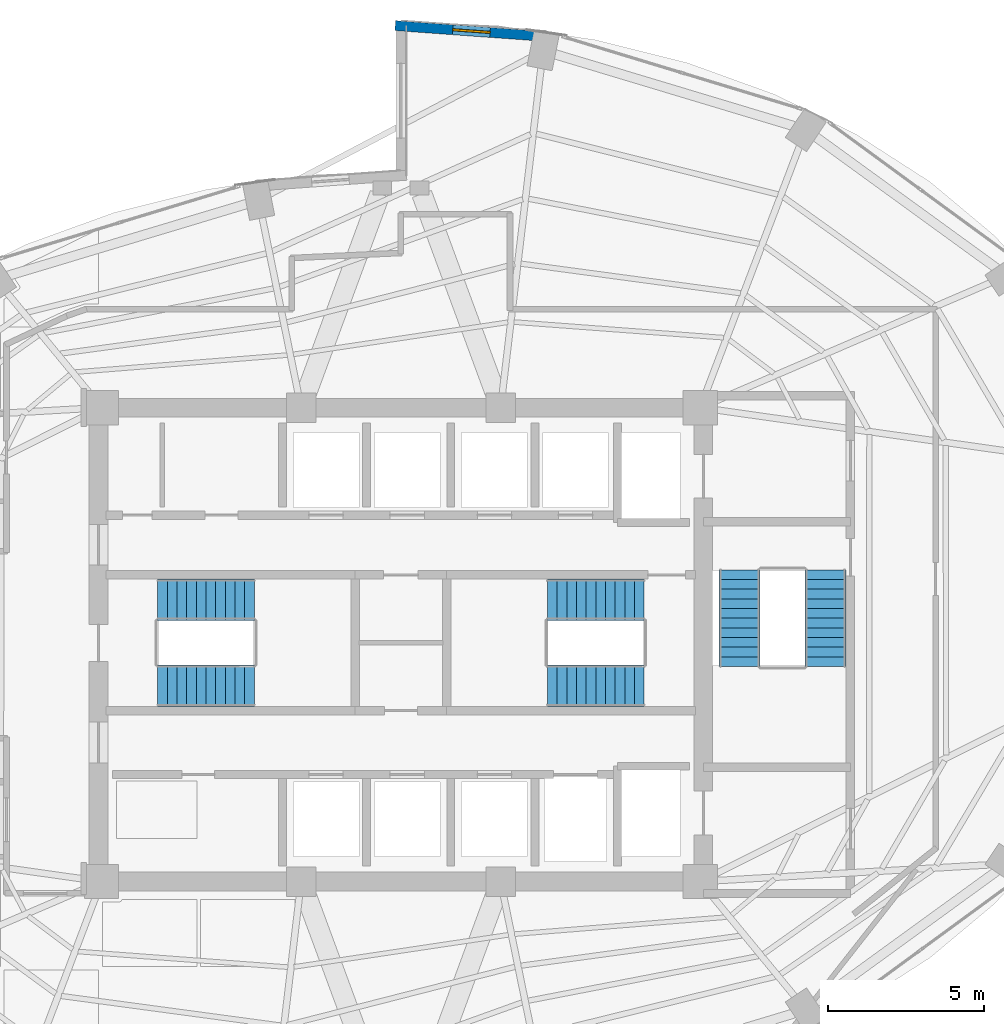
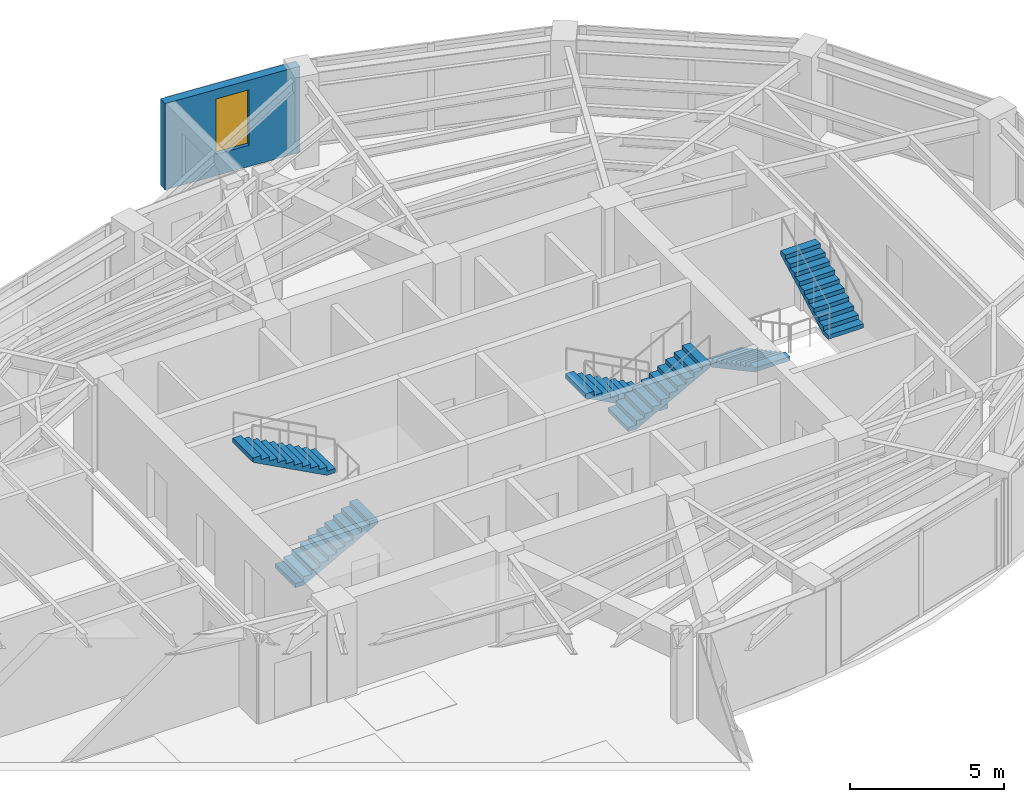
# One storey, part 18 of 20: 6 stair flights, 1 wall, 1 window, 1 opening, 3 elements without a shape of their own.
"""IFC4 building model written with IfcOpenShell, lengths in metres."""

from ifc_helpers import new_model, si_unit, direction, frame, frame_2d, origin, place, context, subcontext, project, spatial, polyline, rectangle, outline, extrude, material, layer, layer_set, type_object, element, fill, aggregate, save


model = new_model("IFC4")

# Units and contexts
model_context = context("Model", 3, precision=1e-05, world=origin(), true_north=direction((0.0, 1.0)))
body_context = subcontext(model_context, "Body", "Model", "MODEL_VIEW")
ifc_project = project(units=[si_unit("LENGTHUNIT", "METRE"), si_unit("AREAUNIT", "SQUARE_METRE"), si_unit("VOLUMEUNIT", "CUBIC_METRE"), si_unit("PLANEANGLEUNIT", "RADIAN"), si_unit("MASSUNIT", "GRAM", prefix="KILO")], contexts=[model_context])

# Site, building, storey
site_placement = place(None, origin())
site = spatial("IfcSite", under=ifc_project, at=site_placement, CompositionType="ELEMENT")
building_placement = place(site_placement, origin())
building = spatial("IfcBuilding", under=site, at=building_placement, Name="Lazwardi Medical Tower", CompositionType="ELEMENT")
storey_placement = place(building_placement, frame((0.0, 0.0, 178.416015625)))
storey = spatial("IfcBuildingStorey", under=building, at=storey_placement, Name="L46", CompositionType="ELEMENT", Elevation=178.416015625)

# Wall, opening, window
ifc_material_1 = material(Name="Precast concrete C45/55", Category="concrete")
ifc_layer = layer(ifc_material_1, 0.320068359375)
ifc_layer_set = layer_set([ifc_layer], Name="Precast concrete C45/55")
wall_type = type_object("IfcWallType", Name="WL-IWAN-320", PredefinedType="SOLIDWALL", material=ifc_layer_set)
wall_placement = place(storey_placement, frame((40.700927734375, 47.501220703125, 0.0), z_axis=(0.0, 0.0, 1.0), x_axis=(-0.997415460462, 0.071849838072, 0.0)))
wall = element("IfcWall", 1, at=wall_placement, inside=storey, type_object=wall_type, Name="L46 Iwan Portal Return Wall NE_ret", PredefinedType="SOLIDWALL", context=body_context, shape_type="SweptSolid", body=[
    extrude(rectangle(XDim=4.89306640625, YDim=0.320068359375, at=frame_2d((2.446533203125, 0.0))), origin(), (0.0, 0.0, 1.0), 3.427978515625),
])
opening_placement = place(wall_placement, frame((1.846435546875, 0.0, 0.85009765625)))
opening = element("IfcOpeningElement", 2, at=opening_placement, cuts=wall, Name="Opening WN-01", PredefinedType="OPENING", context=body_context, shape_type="SweptSolid", body=[
    extrude(rectangle(XDim=1.199951171875, YDim=2.199951171875, at=frame_2d((0.60009765625, 1.10009765625))), frame((0.0, 0.169921875, 0.0), z_axis=(0.0, -1.0, 0.0), x_axis=(1.0, 0.0, 0.0)), (0.0, 0.0, 1.0), 0.340087890625),
])
ifc_material_2 = material(Name="Low-e bronze solar control double glazing", Category="glass")
window_type = type_object("IfcWindowType", Name="WIN-IW-1200", PartitioningType="SINGLE_PANEL", PredefinedType="WINDOW", material=ifc_material_2)
window_placement = place(opening_placement, origin())
window = element("IfcWindow", 3, at=window_placement, inside=storey, type_object=window_type, Name="L46 Iwan Slot Window NE_ret", OverallHeight=2.199951171875, OverallWidth=1.199951171875, PartitioningType="SINGLE_PANEL", PredefinedType="WINDOW", context=body_context, shape_type="SweptSolid", body=[
    extrude(rectangle(XDim=1.199951171875, YDim=2.199951171875, at=frame_2d((0.60009765625, 1.10009765625))), frame((0.0, 0.030029296875, 0.0), z_axis=(0.0, -1.0, 0.0), x_axis=(1.0, 0.0, 0.0)), (0.0, 0.0, 1.0), 0.06005859375),
])
fill(opening, window)

# Stair, stair flights
ifc_material_3 = material(Name="Concrete C45/55", Category="concrete")
stair_type = type_object("IfcStairType", Name="STR-WRD", PredefinedType="HALF_TURN_STAIR", material=ifc_material_3)
stair_1_placement = place(storey_placement, origin())
stair_1 = element("IfcStair", 4, at=stair_1_placement, inside=storey, type_object=stair_type, Name="L46 Protected Exit Stair ST1", PredefinedType="HALF_TURN_STAIR")
stair_flight_type = type_object("IfcStairFlightType", Name="FLT-WRD", PredefinedType="STRAIGHT", material=ifc_material_3)
stair_flight_1_placement = place(storey_placement, frame((28.199951171875, 26.679931640625, 0.0), z_axis=(0.0, 0.0, 1.0), x_axis=(1.0, 0.0, 0.0)))
stair_flight_1 = element("IfcStairFlight", 5, at=stair_flight_1_placement, type_object=stair_flight_type, Name="ST1 flight 1", NumberOfRisers=11, NumberOfTreads=10, PredefinedType="STRAIGHT", RiserHeight=0.165818182, TreadLength=0.31, context=body_context, shape_type="SweptSolid", body=[
    extrude(outline(polyline([(0.0, 0.0), (0.0, 0.165771484375), (0.31005859375, 0.165771484375), (0.31005859375, 0.33154296875), (0.6201171875, 0.33154296875), (0.6201171875, 0.49755859375), (0.929931640625, 0.49755859375), (0.929931640625, 0.663330078125), (1.239990234375, 0.663330078125), (1.239990234375, 0.8291015625), (1.550048828125, 0.8291015625), (1.550048828125, 0.994873046875), (1.860107421875, 0.994873046875), (1.860107421875, 1.16064453125), (2.169921875, 1.16064453125), (2.169921875, 1.32666015625), (2.47998046875, 1.32666015625), (2.47998046875, 1.492431640625), (2.7900390625, 1.492431640625), (2.7900390625, 1.658203125), (3.10009765625, 1.658203125), (3.10009765625, 1.823974609375), (3.10009765625, 1.48828125), (0.31787109375, 0.0), (0.0, 0.0)])), frame((0.0, 0.66015625, 0.0), z_axis=(0.0, -1.0, 0.0), x_axis=(1.0, 0.0, 0.0)), (0.0, 0.0, 1.0), 1.320068359375),
])
stair_flight_2_placement = place(storey_placement, frame((31.300048828125, 29.43994140625, 1.823974609375), z_axis=(0.0, 0.0, 1.0), x_axis=(-1.0, 0.0, 0.0)))
stair_flight_2 = element("IfcStairFlight", 6, at=stair_flight_2_placement, type_object=stair_flight_type, Name="ST1 flight 2", NumberOfRisers=11, NumberOfTreads=10, PredefinedType="STRAIGHT", RiserHeight=0.165818182, TreadLength=0.31, context=body_context, shape_type="SweptSolid", body=[
    extrude(outline(polyline([(0.0, 0.0), (0.0, 0.165771484375), (0.31005859375, 0.165771484375), (0.31005859375, 0.33154296875), (0.6201171875, 0.33154296875), (0.6201171875, 0.49755859375), (0.929931640625, 0.49755859375), (0.929931640625, 0.663330078125), (1.239990234375, 0.663330078125), (1.239990234375, 0.8291015625), (1.550048828125, 0.8291015625), (1.550048828125, 0.994873046875), (1.860107421875, 0.994873046875), (1.860107421875, 1.16064453125), (2.169921875, 1.16064453125), (2.169921875, 1.32666015625), (2.47998046875, 1.32666015625), (2.47998046875, 1.492431640625), (2.7900390625, 1.492431640625), (2.7900390625, 1.658203125), (3.10009765625, 1.658203125), (3.10009765625, 1.823974609375), (3.10009765625, 1.48828125), (0.31787109375, 0.0), (0.0, 0.0)])), frame((0.0, 0.66015625, 0.0), z_axis=(0.0, -1.0, 0.0), x_axis=(1.0, 0.0, 0.0)), (0.0, 0.0, 1.0), 1.320068359375),
])
aggregate(stair_1, [stair_flight_1, stair_flight_2])

stair_2_placement = place(storey_placement, origin())
stair_2 = element("IfcStair", 7, at=stair_2_placement, inside=storey, type_object=stair_type, Name="L46 Protected Exit Stair ST2", PredefinedType="HALF_TURN_STAIR")
stair_flight_3_placement = place(storey_placement, frame((43.800048828125, 29.43994140625, 0.0), z_axis=(0.0, 0.0, 1.0), x_axis=(-1.0, 0.0, 0.0)))
stair_flight_3 = element("IfcStairFlight", 8, at=stair_flight_3_placement, type_object=stair_flight_type, Name="ST2 flight 1", NumberOfRisers=11, NumberOfTreads=10, PredefinedType="STRAIGHT", RiserHeight=0.165818182, TreadLength=0.31, context=body_context, shape_type="SweptSolid", body=[
    extrude(outline(polyline([(0.0, 0.0), (0.0, 0.165771484375), (0.31005859375, 0.165771484375), (0.31005859375, 0.33154296875), (0.6201171875, 0.33154296875), (0.6201171875, 0.49755859375), (0.929931640625, 0.49755859375), (0.929931640625, 0.663330078125), (1.239990234375, 0.663330078125), (1.239990234375, 0.8291015625), (1.550048828125, 0.8291015625), (1.550048828125, 0.994873046875), (1.860107421875, 0.994873046875), (1.860107421875, 1.16064453125), (2.169921875, 1.16064453125), (2.169921875, 1.32666015625), (2.47998046875, 1.32666015625), (2.47998046875, 1.492431640625), (2.7900390625, 1.492431640625), (2.7900390625, 1.658203125), (3.10009765625, 1.658203125), (3.10009765625, 1.823974609375), (3.10009765625, 1.48828125), (0.31787109375, 0.0), (0.0, 0.0)])), frame((0.0, 0.66015625, 0.0), z_axis=(0.0, -1.0, 0.0), x_axis=(1.0, 0.0, 0.0)), (0.0, 0.0, 1.0), 1.320068359375),
])
stair_flight_4_placement = place(storey_placement, frame((40.699951171875, 26.679931640625, 1.823974609375), z_axis=(0.0, 0.0, 1.0), x_axis=(1.0, 0.0, 0.0)))
stair_flight_4 = element("IfcStairFlight", 9, at=stair_flight_4_placement, type_object=stair_flight_type, Name="ST2 flight 2", NumberOfRisers=11, NumberOfTreads=10, PredefinedType="STRAIGHT", RiserHeight=0.165818182, TreadLength=0.31, context=body_context, shape_type="SweptSolid", body=[
    extrude(outline(polyline([(0.0, 0.0), (0.0, 0.165771484375), (0.31005859375, 0.165771484375), (0.31005859375, 0.33154296875), (0.6201171875, 0.33154296875), (0.6201171875, 0.49755859375), (0.929931640625, 0.49755859375), (0.929931640625, 0.663330078125), (1.239990234375, 0.663330078125), (1.239990234375, 0.8291015625), (1.550048828125, 0.8291015625), (1.550048828125, 0.994873046875), (1.860107421875, 0.994873046875), (1.860107421875, 1.16064453125), (2.169921875, 1.16064453125), (2.169921875, 1.32666015625), (2.47998046875, 1.32666015625), (2.47998046875, 1.492431640625), (2.7900390625, 1.492431640625), (2.7900390625, 1.658203125), (3.10009765625, 1.658203125), (3.10009765625, 1.823974609375), (3.10009765625, 1.48828125), (0.31787109375, 0.0), (0.0, 0.0)])), frame((0.0, 0.66015625, 0.0), z_axis=(0.0, -1.0, 0.0), x_axis=(1.0, 0.0, 0.0)), (0.0, 0.0, 1.0), 1.320068359375),
])
aggregate(stair_2, [stair_flight_3, stair_flight_4])

stair_3_placement = place(storey_placement, origin())
stair_3 = element("IfcStair", 10, at=stair_3_placement, inside=storey, type_object=stair_type, Name="L46 Protected Exit Stair ST3", PredefinedType="HALF_TURN_STAIR")
stair_flight_5_placement = place(storey_placement, frame((46.860107421875, 30.39990234375, 0.0), z_axis=(0.0, 0.0, 1.0), x_axis=(0.0, -1.0, 0.0)))
stair_flight_5 = element("IfcStairFlight", 11, at=stair_flight_5_placement, type_object=stair_flight_type, Name="ST3 flight 1", NumberOfRisers=11, NumberOfTreads=10, PredefinedType="STRAIGHT", RiserHeight=0.165818182, TreadLength=0.31, context=body_context, shape_type="SweptSolid", body=[
    extrude(outline(polyline([(0.0, 0.0), (0.0, 0.165771484375), (0.31005859375, 0.165771484375), (0.31005859375, 0.33154296875), (0.6201171875, 0.33154296875), (0.6201171875, 0.49755859375), (0.929931640625, 0.49755859375), (0.929931640625, 0.663330078125), (1.239990234375, 0.663330078125), (1.239990234375, 0.8291015625), (1.550048828125, 0.8291015625), (1.550048828125, 0.994873046875), (1.860107421875, 0.994873046875), (1.860107421875, 1.16064453125), (2.169921875, 1.16064453125), (2.169921875, 1.32666015625), (2.47998046875, 1.32666015625), (2.47998046875, 1.492431640625), (2.7900390625, 1.492431640625), (2.7900390625, 1.658203125), (3.10009765625, 1.658203125), (3.10009765625, 1.823974609375), (3.10009765625, 1.48828125), (0.31787109375, 0.0), (0.0, 0.0)])), frame((0.0, 0.66015625, 0.0), z_axis=(0.0, -1.0, 0.0), x_axis=(1.0, 0.0, 0.0)), (0.0, 0.0, 1.0), 1.320068359375),
])
stair_flight_6_placement = place(storey_placement, frame((49.6201171875, 27.300048828125, 1.823974609375), z_axis=(0.0, 0.0, 1.0), x_axis=(0.0, 1.0, 0.0)))
stair_flight_6 = element("IfcStairFlight", 12, at=stair_flight_6_placement, type_object=stair_flight_type, Name="ST3 flight 2", NumberOfRisers=11, NumberOfTreads=10, PredefinedType="STRAIGHT", RiserHeight=0.165818182, TreadLength=0.31, context=body_context, shape_type="SweptSolid", body=[
    extrude(outline(polyline([(0.0, 0.0), (0.0, 0.165771484375), (0.31005859375, 0.165771484375), (0.31005859375, 0.33154296875), (0.6201171875, 0.33154296875), (0.6201171875, 0.49755859375), (0.929931640625, 0.49755859375), (0.929931640625, 0.663330078125), (1.239990234375, 0.663330078125), (1.239990234375, 0.8291015625), (1.550048828125, 0.8291015625), (1.550048828125, 0.994873046875), (1.860107421875, 0.994873046875), (1.860107421875, 1.16064453125), (2.169921875, 1.16064453125), (2.169921875, 1.32666015625), (2.47998046875, 1.32666015625), (2.47998046875, 1.492431640625), (2.7900390625, 1.492431640625), (2.7900390625, 1.658203125), (3.10009765625, 1.658203125), (3.10009765625, 1.823974609375), (3.10009765625, 1.48828125), (0.31787109375, 0.0), (0.0, 0.0)])), frame((0.0, 0.66015625, 0.0), z_axis=(0.0, -1.0, 0.0), x_axis=(1.0, 0.0, 0.0)), (0.0, 0.0, 1.0), 1.320068359375),
])
aggregate(stair_3, [stair_flight_5, stair_flight_6])

save(model, "model.ifc")
